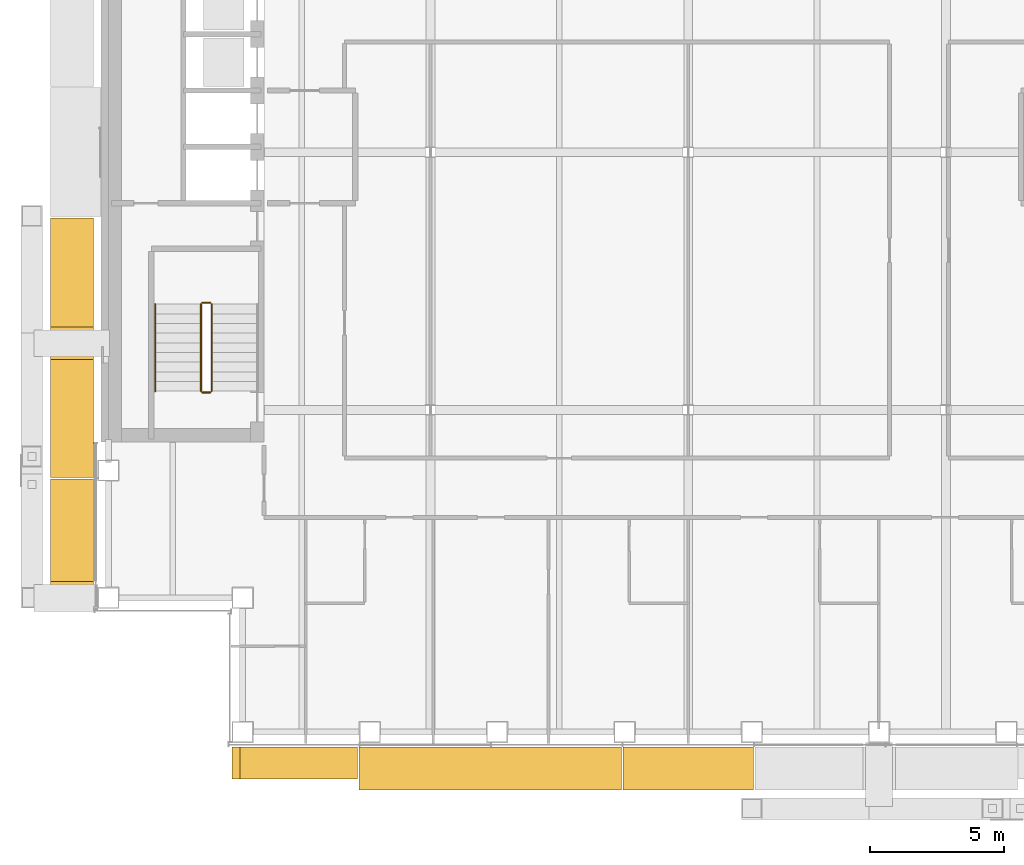
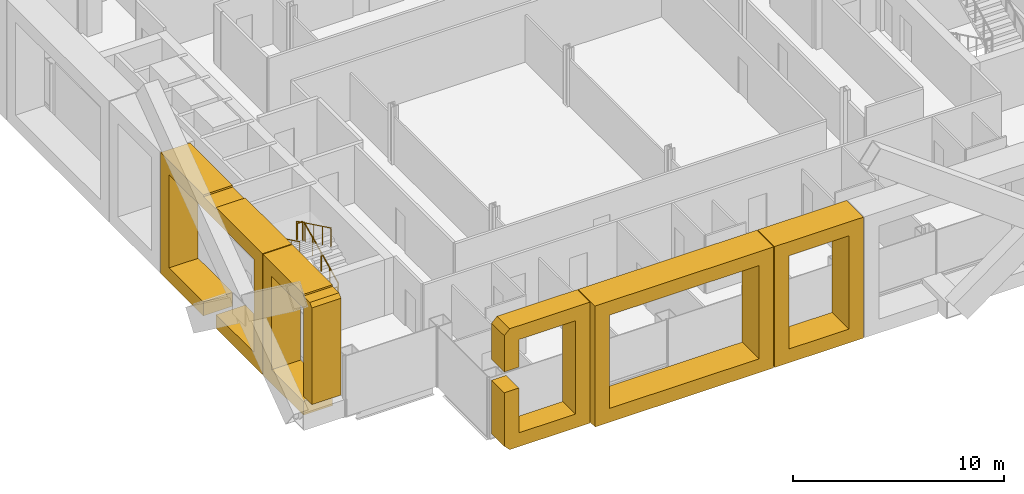
# One storey, part 17 of 22: 5 coverings, 5 railings.
"""IFC4 building model written with IfcOpenShell, lengths in metres."""

from ifc_helpers import new_model, si_unit, direction, frame, origin, origin_2d, place, context, subcontext, project, spatial, polyline, circle, outline, extrude, material, type_object, element, save


model = new_model("IFC4")

# Units and contexts
model_context = context("Model", 3, precision=1e-05, world=origin(), true_north=direction((0.0, 1.0)))
body_context = subcontext(model_context, "Body", "Model", "MODEL_VIEW")
ifc_project = project(units=[si_unit("LENGTHUNIT", "METRE"), si_unit("AREAUNIT", "SQUARE_METRE"), si_unit("VOLUMEUNIT", "CUBIC_METRE"), si_unit("PLANEANGLEUNIT", "RADIAN"), si_unit("MASSUNIT", "GRAM", prefix="KILO")], contexts=[model_context])

# Site, building, storey
site_placement = place(None, origin())
site = spatial("IfcSite", under=ifc_project, at=site_placement, CompositionType="ELEMENT")
building_placement = place(site_placement, origin())
building = spatial("IfcBuilding", under=site, at=building_placement, Name="Cobrizo Arcos Hotel Tower", CompositionType="ELEMENT")
storey_placement = place(building_placement, frame((0.0, 0.0, 176.0)))
storey = spatial("IfcBuildingStorey", under=building, at=storey_placement, Name="L45", CompositionType="ELEMENT", Elevation=176.0)

# Coverings
ifc_material_1 = material(Name="Aluminium 6063-T6 anodised bronze", Category="aluminium")
covering_type_1 = type_object("IfcCoveringType", Name="FIN-F 1200", PredefinedType="CLADDING", material=ifc_material_1)
covering_1_placement = place(storey_placement, frame((-17.0, -22.14990234375, 0.0), z_axis=(0.0, -1.0, 0.0), x_axis=(1.0, 0.0, 0.0)))
element("IfcCovering", 1, at=covering_1_placement, inside=storey, type_object=covering_type_1, Name="Fin frame 251", PredefinedType="CLADDING", context=body_context, shape_type="SweptSolid", body=[
    extrude(outline(polyline([(0.0, 6.699951171875), (0.0, 4.60205078125), (0.800048828125, 4.60205078125), (0.800048828125, 6.199951171875), (3.889404296875, 6.199951171875), (3.889404296875, 0.800048828125), (0.800048828125, 0.800048828125), (0.800048828125, 3.39794921875), (0.0, 3.39794921875), (0.0, 0.300048828125), (0.300048828125, 0.0), (4.689208984375, 0.0), (4.689208984375, 7.0), (0.300048828125, 7.0), (0.0, 6.699951171875)])), origin(), (0.0, 0.0, 1.0), 1.2001953125),
])
covering_type_2 = type_object("IfcCoveringType", Name="FIN-F 1600", PredefinedType="CLADDING", material=ifc_material_1)
covering_2_placement = place(storey_placement, frame((-12.2607421875, -22.14990234375, 0.0), z_axis=(0.0, -1.0, 0.0), x_axis=(1.0, 0.0, 0.0)))
element("IfcCovering", 2, at=covering_2_placement, inside=storey, type_object=covering_type_2, Name="Fin frame 252", PredefinedType="CLADDING", context=body_context, shape_type="SweptSolid", body=[
    extrude(outline(polyline([(0.0, 7.0), (0.0, 0.0), (9.778564453125, 0.0), (9.778564453125, 7.0), (0.0, 7.0)]), holes=[polyline([(8.978515625, 0.800048828125), (0.800048828125, 0.800048828125), (0.800048828125, 6.199951171875), (8.978515625, 6.199951171875), (8.978515625, 0.800048828125)])]), origin(), (0.0, 0.0, 1.0), 1.60009765625),
])
covering_3_placement = place(storey_placement, frame((-2.43212890625, -22.14990234375, 0.0), z_axis=(0.0, -1.0, 0.0), x_axis=(1.0, 0.0, 0.0)))
element("IfcCovering", 3, at=covering_3_placement, inside=storey, type_object=covering_type_2, Name="Fin frame 253", PredefinedType="CLADDING", context=body_context, shape_type="SweptSolid", body=[
    extrude(outline(polyline([(0.0, 7.0), (0.0, 0.0), (4.8642578125, 0.0), (4.8642578125, 7.0), (0.0, 7.0)]), holes=[polyline([(4.064208984375, 0.800048828125), (0.800048828125, 0.800048828125), (0.800048828125, 6.199951171875), (4.064208984375, 6.199951171875), (4.064208984375, 0.800048828125)])]), origin(), (0.0, 0.0, 1.0), 1.60009765625),
])
covering_4_placement = place(storey_placement, frame((-22.14990234375, -2.45361328125, 0.0), z_axis=(-1.0, 0.0, 0.0), x_axis=(0.0, -1.0, 0.0)))
element("IfcCovering", 4, at=covering_4_placement, inside=storey, type_object=covering_type_2, Name="Fin frame 284", PredefinedType="CLADDING", context=body_context, shape_type="SweptSolid", body=[
    extrude(outline(polyline([(0.0, 0.0), (4.05859375, 0.0), (4.05859375, 0.800048828125), (0.800048828125, 0.800048828125), (0.800048828125, 6.199951171875), (8.8642578125, 6.199951171875), (8.8642578125, 0.800048828125), (5.2626953125, 0.800048828125), (5.2626953125, 0.0), (9.664306640625, 0.0), (9.664306640625, 7.0), (5.2626953125, 7.0), (5.2626953125, 6.89794921875), (4.05859375, 6.89794921875), (4.05859375, 7.0), (0.0, 7.0), (0.0, 0.0)])), origin(), (0.0, 0.0, 1.0), 1.60009765625),
])
covering_5_placement = place(storey_placement, frame((-22.14990234375, -12.16796875, 0.0), z_axis=(-1.0, 0.0, 0.0), x_axis=(0.0, -1.0, 0.0)))
element("IfcCovering", 5, at=covering_5_placement, inside=storey, type_object=covering_type_2, Name="Fin frame 285", PredefinedType="CLADDING", context=body_context, shape_type="SweptSolid", body=[
    extrude(outline(polyline([(0.0, 0.0), (3.830078125, 0.0), (3.830078125, 0.800048828125), (0.800048828125, 0.800048828125), (0.800048828125, 6.199951171875), (3.83203125, 6.199951171875), (3.83203125, 1.10205078125), (4.632080078125, 1.10205078125), (4.632080078125, 6.699951171875), (4.43408203125, 6.89794921875), (3.830078125, 6.89794921875), (3.830078125, 7.0), (0.0, 7.0), (0.0, 0.0)])), origin(), (0.0, 0.0, 1.0), 1.60009765625),
])

# Railings
ifc_material_2 = material(Name="Stainless steel railing", Category="steel")
railing_type_1 = type_object("IfcRailingType", Name="Stair guard 1100", PredefinedType="GUARDRAIL", material=ifc_material_2)
railing_1_placement = place(storey_placement, frame((-17.75, -8.89990234375, 0.175048828125)))
element("IfcRailing", 6, at=railing_1_placement, inside=storey, type_object=railing_type_1, Name="L45 ST-W stair guard 1", PredefinedType="GUARDRAIL", context=body_context, shape_type="SweptSolid", body=[
    extrude(circle(Radius=0.02392578125, at=origin_2d()), frame((0.0, 0.0, 1.076171875), z_axis=(0.0, 0.899372665325, 0.437182809435), x_axis=(-1.0, 0.0, 0.0)), (0.0, 0.0, 1.0), 3.6025390625),
    extrude(circle(Radius=0.02099609375, at=origin_2d()), origin(), (0.0, 0.0, 1.0), 1.052001953125),
    extrude(circle(Radius=0.02099609375, at=origin_2d()), frame((0.0, 0.81005859375, 0.393798828125)), (0.0, 0.0, 1.0), 1.052001953125),
    extrude(circle(Radius=0.02099609375, at=origin_2d()), frame((0.0, 1.6201171875, 0.78759765625)), (0.0, 0.0, 1.0), 1.052001953125),
    extrude(circle(Radius=0.02099609375, at=origin_2d()), frame((0.0, 2.429931640625, 1.18115234375)), (0.0, 0.0, 1.0), 1.052001953125),
    extrude(circle(Radius=0.02099609375, at=origin_2d()), frame((0.0, 3.239990234375, 1.574951171875)), (0.0, 0.0, 1.0), 1.052001953125),
])
railing_2_placement = place(storey_placement, frame((-17.800048828125, -5.610107421875, 1.75)))
element("IfcRailing", 7, at=railing_2_placement, inside=storey, type_object=railing_type_1, Name="L45 ST-W stair guard 2", PredefinedType="GUARDRAIL", context=body_context, shape_type="SweptSolid", body=[
    extrude(circle(Radius=0.02392578125, at=origin_2d()), frame((0.0, 0.0, 1.076171875), z_axis=(-1.0, 0.0, 0.0), x_axis=(0.0, -1.0, 0.0)), (0.0, 0.0, 1.0), 0.300048828125),
    extrude(circle(Radius=0.02099609375, at=origin_2d()), origin(), (0.0, 0.0, 1.0), 1.052001953125),
    extrude(circle(Radius=0.02099609375, at=origin_2d()), frame((-0.300048828125, 0.0, 0.0)), (0.0, 0.0, 1.0), 1.052001953125),
])
railing_3_placement = place(storey_placement, frame((-18.14990234375, -5.659912109375, 1.925048828125)))
element("IfcRailing", 8, at=railing_3_placement, inside=storey, type_object=railing_type_1, Name="L45 ST-W stair guard 3", PredefinedType="GUARDRAIL", context=body_context, shape_type="SweptSolid", body=[
    extrude(circle(Radius=0.02392578125, at=origin_2d()), frame((0.0, 0.0, 1.076171875), z_axis=(0.0, -0.899372665325, 0.437182809435), x_axis=(1.0, 0.0, 0.0)), (0.0, 0.0, 1.0), 3.6025390625),
    extrude(circle(Radius=0.02099609375, at=origin_2d()), origin(), (0.0, 0.0, 1.0), 1.052001953125),
    extrude(circle(Radius=0.02099609375, at=origin_2d()), frame((0.0, -0.81005859375, 0.393798828125)), (0.0, 0.0, 1.0), 1.052001953125),
    extrude(circle(Radius=0.02099609375, at=origin_2d()), frame((0.0, -1.6201171875, 0.78759765625)), (0.0, 0.0, 1.0), 1.052001953125),
    extrude(circle(Radius=0.02099609375, at=origin_2d()), frame((0.0, -2.429931640625, 1.18115234375)), (0.0, 0.0, 1.0), 1.052001953125),
    extrude(circle(Radius=0.02099609375, at=origin_2d()), frame((0.0, -3.239990234375, 1.574951171875)), (0.0, 0.0, 1.0), 1.052001953125),
])
railing_4_placement = place(storey_placement, frame((-17.800048828125, -8.949951171875, 0.0)))
element("IfcRailing", 9, at=railing_4_placement, inside=storey, type_object=railing_type_1, Name="L45 ST-W stair guard 4", PredefinedType="GUARDRAIL", context=body_context, shape_type="SweptSolid", body=[
    extrude(circle(Radius=0.02392578125, at=origin_2d()), frame((0.0, 0.0, 1.076171875), z_axis=(-1.0, 0.0, 0.0), x_axis=(0.0, -1.0, 0.0)), (0.0, 0.0, 1.0), 0.300048828125),
    extrude(circle(Radius=0.02099609375, at=origin_2d()), origin(), (0.0, 0.0, 1.0), 1.052001953125),
    extrude(circle(Radius=0.02099609375, at=origin_2d()), frame((-0.300048828125, 0.0, 0.0)), (0.0, 0.0, 1.0), 1.052001953125),
])
railing_type_2 = type_object("IfcRailingType", Name="Stair handrail", PredefinedType="HANDRAIL", material=ifc_material_2)
railing_5_placement = place(storey_placement, frame((-19.85009765625, -5.659912109375, 1.925048828125)))
element("IfcRailing", 10, at=railing_5_placement, inside=storey, type_object=railing_type_2, Name="L45 ST-W stair handrail 2", PredefinedType="HANDRAIL", context=body_context, shape_type="SweptSolid", body=[
    extrude(circle(Radius=0.02392578125, at=origin_2d()), frame((0.0, 0.0, 0.8759765625), z_axis=(0.0, -0.899372665325, 0.437182809435), x_axis=(1.0, 0.0, 0.0)), (0.0, 0.0, 1.0), 3.6025390625),
    extrude(circle(Radius=0.02099609375, at=origin_2d()), origin(), (0.0, 0.0, 1.0), 0.851806640625),
    extrude(circle(Radius=0.02099609375, at=origin_2d()), frame((0.0, -0.81005859375, 0.393798828125)), (0.0, 0.0, 1.0), 0.851806640625),
    extrude(circle(Radius=0.02099609375, at=origin_2d()), frame((0.0, -1.6201171875, 0.78759765625)), (0.0, 0.0, 1.0), 0.851806640625),
    extrude(circle(Radius=0.02099609375, at=origin_2d()), frame((0.0, -2.429931640625, 1.18115234375)), (0.0, 0.0, 1.0), 0.851806640625),
    extrude(circle(Radius=0.02099609375, at=origin_2d()), frame((0.0, -3.239990234375, 1.574951171875)), (0.0, 0.0, 1.0), 0.851806640625),
])

save(model, "model.ifc")
